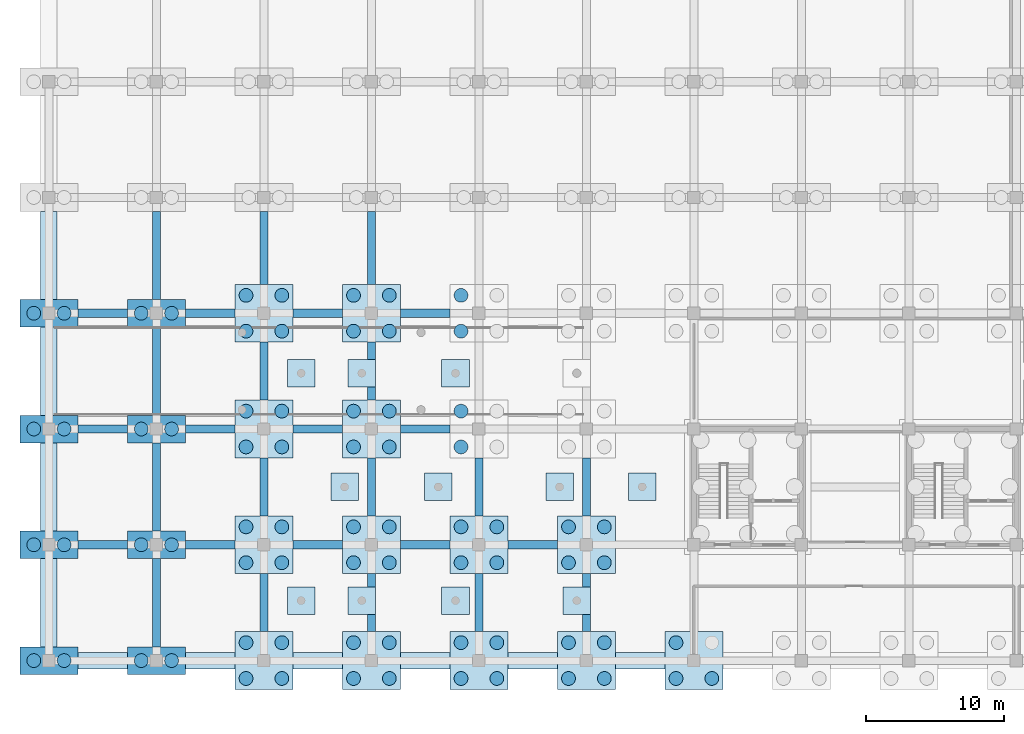
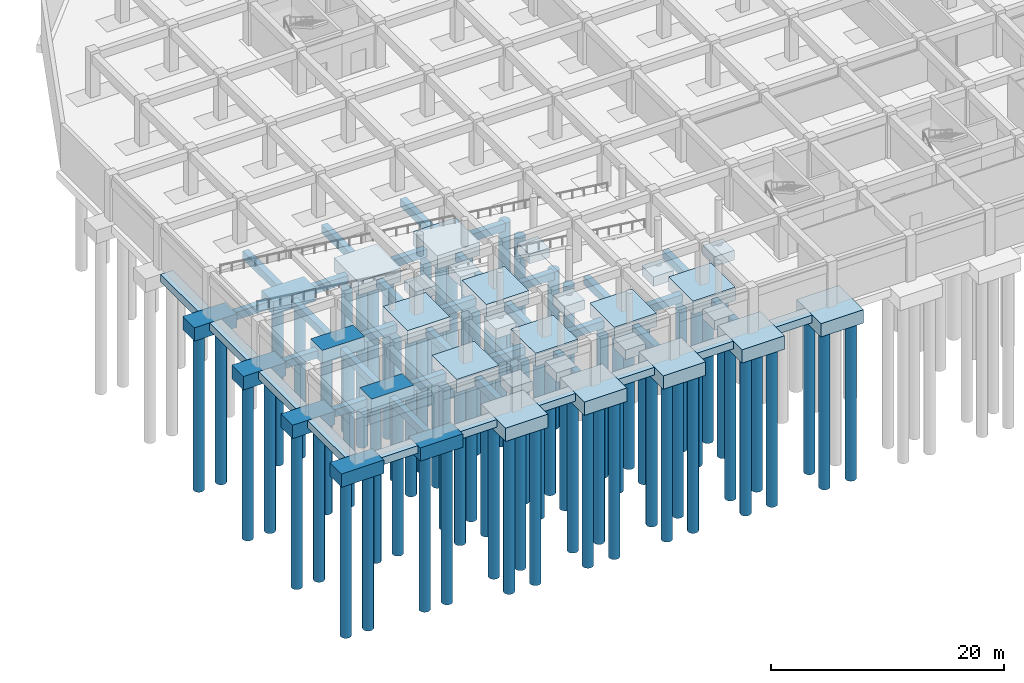
# One storey, part 1 of 31: 74 footings, 71 piles.
"""IFC4 building model written with IfcOpenShell, lengths in metres."""

from ifc_helpers import new_model, si_unit, direction, frame, origin, origin_2d, place, context, subcontext, project, spatial, rectangle, circle, extrude, material, material_profile, profile_set, type_object, element, save


model = new_model("IFC4")

# Units and contexts
model_context = context("Model", 3, precision=1e-05, world=origin(), true_north=direction((0.0, 1.0)))
body_context = subcontext(model_context, "Body", "Model", "MODEL_VIEW")
ifc_project = project(units=[si_unit("LENGTHUNIT", "METRE"), si_unit("AREAUNIT", "SQUARE_METRE"), si_unit("VOLUMEUNIT", "CUBIC_METRE"), si_unit("PLANEANGLEUNIT", "RADIAN"), si_unit("MASSUNIT", "GRAM", prefix="KILO")], contexts=[model_context])

# Site, building, storey
site_placement = place(None, origin())
site = spatial("IfcSite", under=ifc_project, at=site_placement, CompositionType="ELEMENT")
building_placement = place(site_placement, origin())
building = spatial("IfcBuilding", under=site, at=building_placement, Name="Zizhar Promenade General Hospital", CompositionType="ELEMENT")
storey_placement = place(building_placement, frame((0.0, 0.0, -4.800048828125)))
storey = spatial("IfcBuildingStorey", under=building, at=storey_placement, Name="B1", CompositionType="ELEMENT", Elevation=-4.800048828125)

# Footings
ifc_material_1 = material(Name="Concrete C30/37", Category="concrete")
footing_type_1 = type_object("IfcFootingType", Name="FTG-CAP2-4000", PredefinedType="PILE_CAP", material=ifc_material_1)
for number, where, z_axis, x_axis, name in (
    (1, (0.0, 0.0, -1.39990234375), (0.0, 0.0, 1.0), (1.0, 0.0, 0.0), "Pile Cap 1-A"),
    (2, (0.0, 8.39990234375, -1.39990234375), (0.0, 0.0, 1.0), (1.0, 0.0, 0.0), "Pile Cap 1-B"),
    (3, (0.0, 16.800048828125, -1.39990234375), (0.0, 0.0, 1.0), (1.0, 0.0, 0.0), "Pile Cap 1-C"),
    (4, (0.0, 25.199951171875, -1.39990234375), (0.0, 0.0, 1.0), (1.0, 0.0, 0.0), "Pile Cap 1-D"),
    (5, (7.800048828125, 0.0, -1.39990234375), (0.0, 0.0, 1.0), (1.0, 0.0, 0.0), "Pile Cap 2-A"),
    (6, (7.800048828125, 8.39990234375, -1.39990234375), (0.0, 0.0, 1.0), (1.0, 0.0, 0.0), "Pile Cap 2-B"),
    (7, (7.800048828125, 16.800048828125, -1.39990234375), (0.0, 0.0, 1.0), (1.0, 0.0, 0.0), "Pile Cap 2-C"),
    (8, (7.800048828125, 25.199951171875, -1.39990234375), (0.0, 0.0, 1.0), (1.0, 0.0, 0.0), "Pile Cap 2-D"),
):
    element("IfcFooting", number, at=place(storey_placement, frame(where, z_axis=z_axis, x_axis=x_axis)), inside=storey, type_object=footing_type_1, Name=name, PredefinedType="PILE_CAP", context=body_context, shape_type="SweptSolid", body=[
        extrude(rectangle(XDim=4.199951171875, YDim=2.0, at=origin_2d()), origin(), (0.0, 0.0, 1.0), 1.39990234375),
    ])
ifc_material_2 = material(Name="Concrete C30/37", Category="concrete")
footing_type_2 = type_object("IfcFootingType", Name="FTG-CAP4-4200", PredefinedType="PILE_CAP", material=ifc_material_2)
for number, where, z_axis, x_axis, name in (
    (9, (15.60009765625, 0.0, -1.39990234375), (0.0, 0.0, 1.0), (1.0, 0.0, 0.0), "Pile Cap 3-A"),
    (10, (15.60009765625, 8.39990234375, -1.39990234375), (0.0, 0.0, 1.0), (1.0, 0.0, 0.0), "Pile Cap 3-B"),
    (11, (15.60009765625, 16.800048828125, -1.39990234375), (0.0, 0.0, 1.0), (1.0, 0.0, 0.0), "Pile Cap 3-C"),
    (12, (15.60009765625, 25.199951171875, -1.39990234375), (0.0, 0.0, 1.0), (1.0, 0.0, 0.0), "Pile Cap 3-D"),
    (13, (23.39990234375, 0.0, -1.39990234375), (0.0, 0.0, 1.0), (1.0, 0.0, 0.0), "Pile Cap 4-A"),
    (14, (23.39990234375, 8.39990234375, -1.39990234375), (0.0, 0.0, 1.0), (1.0, 0.0, 0.0), "Pile Cap 4-B"),
    (15, (23.39990234375, 16.800048828125, -1.39990234375), (0.0, 0.0, 1.0), (1.0, 0.0, 0.0), "Pile Cap 4-C"),
    (16, (23.39990234375, 25.199951171875, -1.39990234375), (0.0, 0.0, 1.0), (1.0, 0.0, 0.0), "Pile Cap 4-D"),
    (17, (31.199951171875, 0.0, -1.39990234375), (0.0, 0.0, 1.0), (1.0, 0.0, 0.0), "Pile Cap 5-A"),
    (18, (31.199951171875, 8.39990234375, -1.39990234375), (0.0, 0.0, 1.0), (1.0, 0.0, 0.0), "Pile Cap 5-B"),
    (19, (39.0, 0.0, -1.39990234375), (0.0, 0.0, 1.0), (1.0, 0.0, 0.0), "Pile Cap 6-A"),
    (20, (39.0, 8.39990234375, -1.39990234375), (0.0, 0.0, 1.0), (1.0, 0.0, 0.0), "Pile Cap 6-B"),
    (21, (46.800048828125, 0.0, -1.39990234375), (0.0, 0.0, 1.0), (1.0, 0.0, 0.0), "Pile Cap 7-A"),
):
    element("IfcFooting", number, at=place(storey_placement, frame(where, z_axis=z_axis, x_axis=x_axis)), inside=storey, type_object=footing_type_2, Name=name, PredefinedType="PILE_CAP", context=body_context, shape_type="SweptSolid", body=[
        extrude(rectangle(XDim=4.199951171875, YDim=4.199951171875, at=origin_2d()), origin(), (0.0, 0.0, 1.0), 1.39990234375),
    ])
ifc_material_3 = material(Name="Concrete C30/37", Category="concrete")
footing_type_3 = type_object("IfcFootingType", Name="FTG-PAD-2000", PredefinedType="PAD_FOOTING", material=ifc_material_3)
for number, where, z_axis, x_axis, name in (
    (22, (18.300048828125, 4.35009765625, -1.39990234375), (0.0, 0.0, 1.0), (1.0, 0.0, 0.0), "Terrace Support Pad Footing L06-W0"),
    (23, (18.300048828125, 20.85009765625, -1.39990234375), (0.0, 0.0, 1.0), (1.0, 0.0, 0.0), "Terrace Support Pad Footing L06-W1"),
    (24, (21.449951171875, 12.60009765625, -1.39990234375), (0.0, 0.0, 1.0), (1.0, 0.0, 0.0), "Terrace Support Pad Footing L06-W2"),
    (25, (22.699951171875, 4.35009765625, -1.39990234375), (0.0, 0.0, 1.0), (1.0, 0.0, 0.0), "Terrace Support Pad Footing L07-W0"),
    (26, (22.699951171875, 20.85009765625, -1.39990234375), (0.0, 0.0, 1.0), (1.0, 0.0, 0.0), "Terrace Support Pad Footing L07-W1"),
    (27, (28.25, 12.60009765625, -1.39990234375), (0.0, 0.0, 1.0), (1.0, 0.0, 0.0), "Terrace Support Pad Footing L07-W2"),
    (28, (29.5, 4.35009765625, -1.39990234375), (0.0, 0.0, 1.0), (1.0, 0.0, 0.0), "Terrace Support Pad Footing L08-W0"),
    (29, (29.5, 20.85009765625, -1.39990234375), (0.0, 0.0, 1.0), (1.0, 0.0, 0.0), "Terrace Support Pad Footing L08-W1"),
    (30, (37.050048828125, 12.60009765625, -1.39990234375), (0.0, 0.0, 1.0), (1.0, 0.0, 0.0), "Terrace Support Pad Footing L08-W2"),
    (31, (38.300048828125, 4.35009765625, -1.39990234375), (0.0, 0.0, 1.0), (1.0, 0.0, 0.0), "Terrace Support Pad Footing L09-W0"),
    (32, (43.050048828125, 12.60009765625, -1.39990234375), (0.0, 0.0, 1.0), (1.0, 0.0, 0.0), "Terrace Support Pad Footing L09-W2"),
):
    element("IfcFooting", number, at=place(storey_placement, frame(where, z_axis=z_axis, x_axis=x_axis)), inside=storey, type_object=footing_type_3, Name=name, PredefinedType="PAD_FOOTING", context=body_context, shape_type="SweptSolid", body=[
        extrude(rectangle(XDim=2.0, YDim=2.0, at=origin_2d()), origin(), (0.0, 0.0, 1.0), 1.0),
    ])
ifc_material_4 = material(Name="Concrete C30/37", Category="concrete")
ifc_material_profile_1 = material_profile(ifc_material_4, rectangle(XDim=1.199951171875, YDim=0.800048828125, at=origin_2d()))
ifc_profile_set_1 = profile_set([ifc_material_profile_1], Name="Concrete C30/37")
footing_type_4 = type_object("IfcFootingType", Name="FTG-STRIP-1200", PredefinedType="STRIP_FOOTING", material=ifc_profile_set_1)
footing_1_placement = place(storey_placement, frame((2.10009765625, 0.0, -0.39990234375), z_axis=(1.0, 0.0, 0.0), x_axis=(0.0, 1.0, 0.0)))
element("IfcFooting", 33, at=footing_1_placement, inside=storey, type_object=footing_type_4, Name="Basement Wall Strip Footing B01", PredefinedType="STRIP_FOOTING", context=body_context, shape_type="SweptSolid", body=[
    extrude(rectangle(XDim=1.199951171875, YDim=0.800048828125, at=origin_2d()), origin(), (0.0, 0.0, 1.0), 3.599853515625),
])
for number, where, z_axis, x_axis, name in (
    (34, (9.89990234375, 0.0, -0.39990234375), (1.0, 0.0, 0.0), (0.0, 1.0, 0.0), "Basement Wall Strip Footing B01 (2)"),
    (35, (17.699951171875, 0.0, -0.39990234375), (1.0, 0.0, 0.0), (0.0, 1.0, 0.0), "Basement Wall Strip Footing B01 (3)"),
    (36, (25.5, 0.0, -0.39990234375), (1.0, 0.0, 0.0), (0.0, 1.0, 0.0), "Basement Wall Strip Footing B01 (4)"),
):
    element("IfcFooting", number, at=place(storey_placement, frame(where, z_axis=z_axis, x_axis=x_axis)), inside=storey, type_object=footing_type_4, Name=name, PredefinedType="STRIP_FOOTING", context=body_context, shape_type="SweptSolid", body=[
        extrude(rectangle(XDim=1.199951171875, YDim=0.800048828125, at=origin_2d()), origin(), (0.0, 0.0, 1.0), 3.60009765625),
    ])
for number, where, z_axis, x_axis, name in (
    (37, (33.300048828125, 0.0, -0.39990234375), (1.0, 0.0, 0.0), (0.0, 1.0, 0.0), "Basement Wall Strip Footing B01 (5)"),
    (38, (41.10009765625, 0.0, -0.39990234375), (1.0, 0.0, 0.0), (0.0, 1.0, 0.0), "Basement Wall Strip Footing B01 (6)"),
):
    element("IfcFooting", number, at=place(storey_placement, frame(where, z_axis=z_axis, x_axis=x_axis)), inside=storey, type_object=footing_type_4, Name=name, PredefinedType="STRIP_FOOTING", context=body_context, shape_type="SweptSolid", body=[
        extrude(rectangle(XDim=1.199951171875, YDim=0.800048828125, at=origin_2d()), origin(), (0.0, 0.0, 1.0), 3.599853515625),
    ])
footing_2_placement = place(storey_placement, frame((0.0, 32.60009765625, -0.39990234375), z_axis=(0.0, -1.0, 0.0), x_axis=(1.0, 0.0, 0.0)))
element("IfcFooting", 39, at=footing_2_placement, inside=storey, type_object=footing_type_4, Name="Basement Wall Strip Footing B13 (3)", PredefinedType="STRIP_FOOTING", context=body_context, shape_type="SweptSolid", body=[
    extrude(rectangle(XDim=1.199951171875, YDim=0.800048828125, at=origin_2d()), origin(), (0.0, 0.0, 1.0), 6.400146484375),
])
footing_3_placement = place(storey_placement, frame((0.0, 24.199951171875, -0.39990234375), z_axis=(0.0, -1.0, 0.0), x_axis=(1.0, 0.0, 0.0)))
element("IfcFooting", 40, at=footing_3_placement, inside=storey, type_object=footing_type_4, Name="Basement Wall Strip Footing B13 (4)", PredefinedType="STRIP_FOOTING", context=body_context, shape_type="SweptSolid", body=[
    extrude(rectangle(XDim=1.199951171875, YDim=0.800048828125, at=origin_2d()), origin(), (0.0, 0.0, 1.0), 6.39990234375),
])
footing_4_placement = place(storey_placement, frame((0.0, 15.800048828125, -0.39990234375), z_axis=(0.0, -1.0, 0.0), x_axis=(1.0, 0.0, 0.0)))
element("IfcFooting", 41, at=footing_4_placement, inside=storey, type_object=footing_type_4, Name="Basement Wall Strip Footing B13 (5)", PredefinedType="STRIP_FOOTING", context=body_context, shape_type="SweptSolid", body=[
    extrude(rectangle(XDim=1.199951171875, YDim=0.800048828125, at=origin_2d()), origin(), (0.0, 0.0, 1.0), 6.400146484375),
])
footing_5_placement = place(storey_placement, frame((0.0, 7.39990234375, -0.39990234375), z_axis=(0.0, -1.0, 0.0), x_axis=(1.0, 0.0, 0.0)))
element("IfcFooting", 42, at=footing_5_placement, inside=storey, type_object=footing_type_4, Name="Basement Wall Strip Footing B13 (6)", PredefinedType="STRIP_FOOTING", context=body_context, shape_type="SweptSolid", body=[
    extrude(rectangle(XDim=1.199951171875, YDim=0.800048828125, at=origin_2d()), origin(), (0.0, 0.0, 1.0), 6.39990234375),
])
ifc_material_5 = material(Name="Concrete C30/37", Category="concrete")
ifc_material_profile_2 = material_profile(ifc_material_5, rectangle(XDim=0.60009765625, YDim=0.800048828125, at=origin_2d()))
ifc_profile_set_2 = profile_set([ifc_material_profile_2], Name="Concrete C30/37")
footing_type_5 = type_object("IfcFootingType", Name="FTG-TIE-600x800", PredefinedType="FOOTING_BEAM", material=ifc_profile_set_2)
for number, where, z_axis, x_axis, name in (
    (43, (2.10009765625, 8.39990234375, -0.800048828125), (1.0, 0.0, 0.0), (0.0, 1.0, 0.0), "Seismic Ground Tie Beam X-0-1"),
    (44, (2.10009765625, 16.800048828125, -0.800048828125), (1.0, 0.0, 0.0), (0.0, 1.0, 0.0), "Seismic Ground Tie Beam X-0-2"),
    (45, (2.10009765625, 25.199951171875, -0.800048828125), (1.0, 0.0, 0.0), (0.0, 1.0, 0.0), "Seismic Ground Tie Beam X-0-3"),
):
    element("IfcFooting", number, at=place(storey_placement, frame(where, z_axis=z_axis, x_axis=x_axis)), inside=storey, type_object=footing_type_5, Name=name, PredefinedType="FOOTING_BEAM", context=body_context, shape_type="SweptSolid", body=[
        extrude(rectangle(XDim=0.60009765625, YDim=0.800048828125, at=origin_2d()), origin(), (0.0, 0.0, 1.0), 3.599853515625),
    ])
footing_6_placement = place(storey_placement, frame((7.800048828125, 1.0, -0.800048828125), z_axis=(0.0, 1.0, 0.0), x_axis=(-1.0, 0.0, 0.0)))
element("IfcFooting", 46, at=footing_6_placement, inside=storey, type_object=footing_type_5, Name="Seismic Ground Tie Beam Y-1-0", PredefinedType="FOOTING_BEAM", context=body_context, shape_type="SweptSolid", body=[
    extrude(rectangle(XDim=0.60009765625, YDim=0.800048828125, at=origin_2d()), origin(), (0.0, 0.0, 1.0), 6.39990234375),
])
footing_7_placement = place(storey_placement, frame((9.89990234375, 8.39990234375, -0.800048828125), z_axis=(1.0, 0.0, 0.0), x_axis=(0.0, 1.0, 0.0)))
element("IfcFooting", 47, at=footing_7_placement, inside=storey, type_object=footing_type_5, Name="Seismic Ground Tie Beam X-1-1", PredefinedType="FOOTING_BEAM", context=body_context, shape_type="SweptSolid", body=[
    extrude(rectangle(XDim=0.60009765625, YDim=0.800048828125, at=origin_2d()), origin(), (0.0, 0.0, 1.0), 3.60009765625),
])
footing_8_placement = place(storey_placement, frame((7.800048828125, 9.39990234375, -0.800048828125), z_axis=(0.0, 1.0, 0.0), x_axis=(-1.0, 0.0, 0.0)))
element("IfcFooting", 48, at=footing_8_placement, inside=storey, type_object=footing_type_5, Name="Seismic Ground Tie Beam Y-1-1", PredefinedType="FOOTING_BEAM", context=body_context, shape_type="SweptSolid", body=[
    extrude(rectangle(XDim=0.60009765625, YDim=0.800048828125, at=origin_2d()), origin(), (0.0, 0.0, 1.0), 6.400146484375),
])
footing_9_placement = place(storey_placement, frame((9.89990234375, 16.800048828125, -0.800048828125), z_axis=(1.0, 0.0, 0.0), x_axis=(0.0, 1.0, 0.0)))
element("IfcFooting", 49, at=footing_9_placement, inside=storey, type_object=footing_type_5, Name="Seismic Ground Tie Beam X-1-2", PredefinedType="FOOTING_BEAM", context=body_context, shape_type="SweptSolid", body=[
    extrude(rectangle(XDim=0.60009765625, YDim=0.800048828125, at=origin_2d()), origin(), (0.0, 0.0, 1.0), 3.60009765625),
])
footing_10_placement = place(storey_placement, frame((7.800048828125, 17.800048828125, -0.800048828125), z_axis=(0.0, 1.0, 0.0), x_axis=(-1.0, 0.0, 0.0)))
element("IfcFooting", 50, at=footing_10_placement, inside=storey, type_object=footing_type_5, Name="Seismic Ground Tie Beam Y-1-2", PredefinedType="FOOTING_BEAM", context=body_context, shape_type="SweptSolid", body=[
    extrude(rectangle(XDim=0.60009765625, YDim=0.800048828125, at=origin_2d()), origin(), (0.0, 0.0, 1.0), 6.39990234375),
])
footing_11_placement = place(storey_placement, frame((9.89990234375, 25.199951171875, -0.800048828125), z_axis=(1.0, 0.0, 0.0), x_axis=(0.0, 1.0, 0.0)))
element("IfcFooting", 51, at=footing_11_placement, inside=storey, type_object=footing_type_5, Name="Seismic Ground Tie Beam X-1-3", PredefinedType="FOOTING_BEAM", context=body_context, shape_type="SweptSolid", body=[
    extrude(rectangle(XDim=0.60009765625, YDim=0.800048828125, at=origin_2d()), origin(), (0.0, 0.0, 1.0), 3.60009765625),
])
footing_12_placement = place(storey_placement, frame((7.800048828125, 26.199951171875, -0.800048828125), z_axis=(0.0, 1.0, 0.0), x_axis=(-1.0, 0.0, 0.0)))
element("IfcFooting", 52, at=footing_12_placement, inside=storey, type_object=footing_type_5, Name="Seismic Ground Tie Beam Y-1-3", PredefinedType="FOOTING_BEAM", context=body_context, shape_type="SweptSolid", body=[
    extrude(rectangle(XDim=0.60009765625, YDim=0.800048828125, at=origin_2d()), origin(), (0.0, 0.0, 1.0), 6.400146484375),
])
footing_13_placement = place(storey_placement, frame((15.60009765625, 2.10009765625, -0.800048828125), z_axis=(0.0, 1.0, 0.0), x_axis=(-1.0, 0.0, 0.0)))
element("IfcFooting", 53, at=footing_13_placement, inside=storey, type_object=footing_type_5, Name="Seismic Ground Tie Beam Y-2-0", PredefinedType="FOOTING_BEAM", context=body_context, shape_type="SweptSolid", body=[
    extrude(rectangle(XDim=0.60009765625, YDim=0.800048828125, at=origin_2d()), origin(), (0.0, 0.0, 1.0), 4.199951171875),
])
footing_14_placement = place(storey_placement, frame((17.699951171875, 8.39990234375, -0.800048828125), z_axis=(1.0, 0.0, 0.0), x_axis=(0.0, 1.0, 0.0)))
element("IfcFooting", 54, at=footing_14_placement, inside=storey, type_object=footing_type_5, Name="Seismic Ground Tie Beam X-2-1", PredefinedType="FOOTING_BEAM", context=body_context, shape_type="SweptSolid", body=[
    extrude(rectangle(XDim=0.60009765625, YDim=0.800048828125, at=origin_2d()), origin(), (0.0, 0.0, 1.0), 3.60009765625),
])
footing_15_placement = place(storey_placement, frame((15.60009765625, 10.5, -0.800048828125), z_axis=(0.0, 1.0, 0.0), x_axis=(-1.0, 0.0, 0.0)))
element("IfcFooting", 55, at=footing_15_placement, inside=storey, type_object=footing_type_5, Name="Seismic Ground Tie Beam Y-2-1", PredefinedType="FOOTING_BEAM", context=body_context, shape_type="SweptSolid", body=[
    extrude(rectangle(XDim=0.60009765625, YDim=0.800048828125, at=origin_2d()), origin(), (0.0, 0.0, 1.0), 4.199951171875),
])
footing_16_placement = place(storey_placement, frame((17.699951171875, 16.800048828125, -0.800048828125), z_axis=(1.0, 0.0, 0.0), x_axis=(0.0, 1.0, 0.0)))
element("IfcFooting", 56, at=footing_16_placement, inside=storey, type_object=footing_type_5, Name="Seismic Ground Tie Beam X-2-2", PredefinedType="FOOTING_BEAM", context=body_context, shape_type="SweptSolid", body=[
    extrude(rectangle(XDim=0.60009765625, YDim=0.800048828125, at=origin_2d()), origin(), (0.0, 0.0, 1.0), 3.60009765625),
])
footing_17_placement = place(storey_placement, frame((15.60009765625, 18.89990234375, -0.800048828125), z_axis=(0.0, 1.0, 0.0), x_axis=(-1.0, 0.0, 0.0)))
element("IfcFooting", 57, at=footing_17_placement, inside=storey, type_object=footing_type_5, Name="Seismic Ground Tie Beam Y-2-2", PredefinedType="FOOTING_BEAM", context=body_context, shape_type="SweptSolid", body=[
    extrude(rectangle(XDim=0.60009765625, YDim=0.800048828125, at=origin_2d()), origin(), (0.0, 0.0, 1.0), 4.2001953125),
])
footing_18_placement = place(storey_placement, frame((17.699951171875, 25.199951171875, -0.800048828125), z_axis=(1.0, 0.0, 0.0), x_axis=(0.0, 1.0, 0.0)))
element("IfcFooting", 58, at=footing_18_placement, inside=storey, type_object=footing_type_5, Name="Seismic Ground Tie Beam X-2-3", PredefinedType="FOOTING_BEAM", context=body_context, shape_type="SweptSolid", body=[
    extrude(rectangle(XDim=0.60009765625, YDim=0.800048828125, at=origin_2d()), origin(), (0.0, 0.0, 1.0), 3.60009765625),
])
footing_19_placement = place(storey_placement, frame((15.60009765625, 27.300048828125, -0.800048828125), z_axis=(0.0, 1.0, 0.0), x_axis=(-1.0, 0.0, 0.0)))
element("IfcFooting", 59, at=footing_19_placement, inside=storey, type_object=footing_type_5, Name="Seismic Ground Tie Beam Y-2-3", PredefinedType="FOOTING_BEAM", context=body_context, shape_type="SweptSolid", body=[
    extrude(rectangle(XDim=0.60009765625, YDim=0.800048828125, at=origin_2d()), origin(), (0.0, 0.0, 1.0), 5.300048828125),
])
footing_20_placement = place(storey_placement, frame((23.39990234375, 2.10009765625, -0.800048828125), z_axis=(0.0, 1.0, 0.0), x_axis=(-1.0, 0.0, 0.0)))
element("IfcFooting", 60, at=footing_20_placement, inside=storey, type_object=footing_type_5, Name="Seismic Ground Tie Beam Y-3-0", PredefinedType="FOOTING_BEAM", context=body_context, shape_type="SweptSolid", body=[
    extrude(rectangle(XDim=0.60009765625, YDim=0.800048828125, at=origin_2d()), origin(), (0.0, 0.0, 1.0), 1.25),
])
footing_21_placement = place(storey_placement, frame((23.39990234375, 5.35009765625, -0.800048828125), z_axis=(0.0, 1.0, 0.0), x_axis=(-1.0, 0.0, 0.0)))
element("IfcFooting", 61, at=footing_21_placement, inside=storey, type_object=footing_type_5, Name="Seismic Ground Tie Beam Y-3-0 (2)", PredefinedType="FOOTING_BEAM", context=body_context, shape_type="SweptSolid", body=[
    extrude(rectangle(XDim=0.60009765625, YDim=0.800048828125, at=origin_2d()), origin(), (0.0, 0.0, 1.0), 0.949951171875),
])
footing_22_placement = place(storey_placement, frame((25.5, 8.39990234375, -0.800048828125), z_axis=(1.0, 0.0, 0.0), x_axis=(0.0, 1.0, 0.0)))
element("IfcFooting", 62, at=footing_22_placement, inside=storey, type_object=footing_type_5, Name="Seismic Ground Tie Beam X-3-1", PredefinedType="FOOTING_BEAM", context=body_context, shape_type="SweptSolid", body=[
    extrude(rectangle(XDim=0.60009765625, YDim=0.800048828125, at=origin_2d()), origin(), (0.0, 0.0, 1.0), 3.60009765625),
])
footing_23_placement = place(storey_placement, frame((23.39990234375, 10.5, -0.800048828125), z_axis=(0.0, 1.0, 0.0), x_axis=(-1.0, 0.0, 0.0)))
element("IfcFooting", 63, at=footing_23_placement, inside=storey, type_object=footing_type_5, Name="Seismic Ground Tie Beam Y-3-1", PredefinedType="FOOTING_BEAM", context=body_context, shape_type="SweptSolid", body=[
    extrude(rectangle(XDim=0.60009765625, YDim=0.800048828125, at=origin_2d()), origin(), (0.0, 0.0, 1.0), 4.199951171875),
])
footing_24_placement = place(storey_placement, frame((25.5, 16.800048828125, -0.800048828125), z_axis=(1.0, 0.0, 0.0), x_axis=(0.0, 1.0, 0.0)))
element("IfcFooting", 64, at=footing_24_placement, inside=storey, type_object=footing_type_5, Name="Seismic Ground Tie Beam X-3-2", PredefinedType="FOOTING_BEAM", context=body_context, shape_type="SweptSolid", body=[
    extrude(rectangle(XDim=0.60009765625, YDim=0.800048828125, at=origin_2d()), origin(), (0.0, 0.0, 1.0), 3.60009765625),
])
footing_25_placement = place(storey_placement, frame((23.39990234375, 18.89990234375, -0.800048828125), z_axis=(0.0, 1.0, 0.0), x_axis=(-1.0, 0.0, 0.0)))
element("IfcFooting", 65, at=footing_25_placement, inside=storey, type_object=footing_type_5, Name="Seismic Ground Tie Beam Y-3-2", PredefinedType="FOOTING_BEAM", context=body_context, shape_type="SweptSolid", body=[
    extrude(rectangle(XDim=0.60009765625, YDim=0.800048828125, at=origin_2d()), origin(), (0.0, 0.0, 1.0), 0.9501953125),
])
footing_26_placement = place(storey_placement, frame((23.39990234375, 21.85009765625, -0.800048828125), z_axis=(0.0, 1.0, 0.0), x_axis=(-1.0, 0.0, 0.0)))
element("IfcFooting", 66, at=footing_26_placement, inside=storey, type_object=footing_type_5, Name="Seismic Ground Tie Beam Y-3-2 (2)", PredefinedType="FOOTING_BEAM", context=body_context, shape_type="SweptSolid", body=[
    extrude(rectangle(XDim=0.60009765625, YDim=0.800048828125, at=origin_2d()), origin(), (0.0, 0.0, 1.0), 1.25),
])
footing_27_placement = place(storey_placement, frame((25.5, 25.199951171875, -0.800048828125), z_axis=(1.0, 0.0, 0.0), x_axis=(0.0, 1.0, 0.0)))
element("IfcFooting", 67, at=footing_27_placement, inside=storey, type_object=footing_type_5, Name="Seismic Ground Tie Beam X-3-3", PredefinedType="FOOTING_BEAM", context=body_context, shape_type="SweptSolid", body=[
    extrude(rectangle(XDim=0.60009765625, YDim=0.800048828125, at=origin_2d()), origin(), (0.0, 0.0, 1.0), 3.60009765625),
])
footing_28_placement = place(storey_placement, frame((23.39990234375, 27.300048828125, -0.800048828125), z_axis=(0.0, 1.0, 0.0), x_axis=(-1.0, 0.0, 0.0)))
element("IfcFooting", 68, at=footing_28_placement, inside=storey, type_object=footing_type_5, Name="Seismic Ground Tie Beam Y-3-3", PredefinedType="FOOTING_BEAM", context=body_context, shape_type="SweptSolid", body=[
    extrude(rectangle(XDim=0.60009765625, YDim=0.800048828125, at=origin_2d()), origin(), (0.0, 0.0, 1.0), 5.300048828125),
])
footing_29_placement = place(storey_placement, frame((31.199951171875, 2.10009765625, -0.800048828125), z_axis=(0.0, 1.0, 0.0), x_axis=(-1.0, 0.0, 0.0)))
element("IfcFooting", 69, at=footing_29_placement, inside=storey, type_object=footing_type_5, Name="Seismic Ground Tie Beam Y-4-0", PredefinedType="FOOTING_BEAM", context=body_context, shape_type="SweptSolid", body=[
    extrude(rectangle(XDim=0.60009765625, YDim=0.800048828125, at=origin_2d()), origin(), (0.0, 0.0, 1.0), 4.199951171875),
])
footing_30_placement = place(storey_placement, frame((33.300048828125, 8.39990234375, -0.800048828125), z_axis=(1.0, 0.0, 0.0), x_axis=(0.0, 1.0, 0.0)))
element("IfcFooting", 70, at=footing_30_placement, inside=storey, type_object=footing_type_5, Name="Seismic Ground Tie Beam X-4-1", PredefinedType="FOOTING_BEAM", context=body_context, shape_type="SweptSolid", body=[
    extrude(rectangle(XDim=0.60009765625, YDim=0.800048828125, at=origin_2d()), origin(), (0.0, 0.0, 1.0), 3.599853515625),
])
footing_31_placement = place(storey_placement, frame((31.199951171875, 10.5, -0.800048828125), z_axis=(0.0, 1.0, 0.0), x_axis=(-1.0, 0.0, 0.0)))
element("IfcFooting", 71, at=footing_31_placement, inside=storey, type_object=footing_type_5, Name="Seismic Ground Tie Beam Y-4-1", PredefinedType="FOOTING_BEAM", context=body_context, shape_type="SweptSolid", body=[
    extrude(rectangle(XDim=0.60009765625, YDim=0.800048828125, at=origin_2d()), origin(), (0.0, 0.0, 1.0), 4.199951171875),
])
footing_32_placement = place(storey_placement, frame((39.0, 2.10009765625, -0.800048828125), z_axis=(0.0, 1.0, 0.0), x_axis=(-1.0, 0.0, 0.0)))
element("IfcFooting", 72, at=footing_32_placement, inside=storey, type_object=footing_type_5, Name="Seismic Ground Tie Beam Y-5-0", PredefinedType="FOOTING_BEAM", context=body_context, shape_type="SweptSolid", body=[
    extrude(rectangle(XDim=0.60009765625, YDim=0.800048828125, at=origin_2d()), origin(), (0.0, 0.0, 1.0), 1.25),
])
footing_33_placement = place(storey_placement, frame((39.0, 5.35009765625, -0.800048828125), z_axis=(0.0, 1.0, 0.0), x_axis=(-1.0, 0.0, 0.0)))
element("IfcFooting", 73, at=footing_33_placement, inside=storey, type_object=footing_type_5, Name="Seismic Ground Tie Beam Y-5-0 (2)", PredefinedType="FOOTING_BEAM", context=body_context, shape_type="SweptSolid", body=[
    extrude(rectangle(XDim=0.60009765625, YDim=0.800048828125, at=origin_2d()), origin(), (0.0, 0.0, 1.0), 0.949951171875),
])
footing_34_placement = place(storey_placement, frame((39.0, 10.5, -0.800048828125), z_axis=(0.0, 1.0, 0.0), x_axis=(-1.0, 0.0, 0.0)))
element("IfcFooting", 74, at=footing_34_placement, inside=storey, type_object=footing_type_5, Name="Seismic Ground Tie Beam Y-5-1", PredefinedType="FOOTING_BEAM", context=body_context, shape_type="SweptSolid", body=[
    extrude(rectangle(XDim=0.60009765625, YDim=0.800048828125, at=origin_2d()), origin(), (0.0, 0.0, 1.0), 4.199951171875),
])

# Piles
ifc_material_6 = material(Name="Concrete C30/37", Category="concrete")
ifc_material_profile_3 = material_profile(ifc_material_6, circle(Radius=0.5, at=origin_2d()))
ifc_profile_set_3 = profile_set([ifc_material_profile_3], Name="Concrete C30/37")
pile_type = type_object("IfcPileType", Name="PIL-BORED-1000", PredefinedType="BORED", material=ifc_profile_set_3)
for number, where, z_axis, x_axis, name in (
    (75, (-1.10009765625, 0.0, -1.300048828125), (0.0, 0.0, -1.0), (1.0, 0.0, 0.0), "Bored Pile 1-A-1"),
    (76, (1.10009765625, 0.0, -1.300048828125), (0.0, 0.0, -1.0), (1.0, 0.0, 0.0), "Bored Pile 1-A-2"),
    (77, (-1.10009765625, 8.39990234375, -1.300048828125), (0.0, 0.0, -1.0), (1.0, 0.0, 0.0), "Bored Pile 1-B-1"),
    (78, (1.10009765625, 8.39990234375, -1.300048828125), (0.0, 0.0, -1.0), (1.0, 0.0, 0.0), "Bored Pile 1-B-2"),
    (79, (-1.10009765625, 16.800048828125, -1.300048828125), (0.0, 0.0, -1.0), (1.0, 0.0, 0.0), "Bored Pile 1-C-1"),
    (80, (1.10009765625, 16.800048828125, -1.300048828125), (0.0, 0.0, -1.0), (1.0, 0.0, 0.0), "Bored Pile 1-C-2"),
    (81, (-1.10009765625, 25.199951171875, -1.300048828125), (0.0, 0.0, -1.0), (1.0, 0.0, 0.0), "Bored Pile 1-D-1"),
    (82, (1.10009765625, 25.199951171875, -1.300048828125), (0.0, 0.0, -1.0), (1.0, 0.0, 0.0), "Bored Pile 1-D-2"),
    (83, (6.699951171875, 0.0, -1.300048828125), (0.0, 0.0, -1.0), (1.0, 0.0, 0.0), "Bored Pile 2-A-1"),
    (84, (8.89990234375, 0.0, -1.300048828125), (0.0, 0.0, -1.0), (1.0, 0.0, 0.0), "Bored Pile 2-A-2"),
    (85, (6.699951171875, 8.39990234375, -1.300048828125), (0.0, 0.0, -1.0), (1.0, 0.0, 0.0), "Bored Pile 2-B-1"),
    (86, (8.89990234375, 8.39990234375, -1.300048828125), (0.0, 0.0, -1.0), (1.0, 0.0, 0.0), "Bored Pile 2-B-2"),
    (87, (6.699951171875, 16.800048828125, -1.300048828125), (0.0, 0.0, -1.0), (1.0, 0.0, 0.0), "Bored Pile 2-C-1"),
    (88, (8.89990234375, 16.800048828125, -1.300048828125), (0.0, 0.0, -1.0), (1.0, 0.0, 0.0), "Bored Pile 2-C-2"),
    (89, (6.699951171875, 25.199951171875, -1.300048828125), (0.0, 0.0, -1.0), (1.0, 0.0, 0.0), "Bored Pile 2-D-1"),
    (90, (8.89990234375, 25.199951171875, -1.300048828125), (0.0, 0.0, -1.0), (1.0, 0.0, 0.0), "Bored Pile 2-D-2"),
    (91, (14.300048828125, -1.300048828125, -1.300048828125), (0.0, 0.0, -1.0), (1.0, 0.0, 0.0), "Bored Pile 3-A-1"),
    (92, (14.300048828125, 1.300048828125, -1.300048828125), (0.0, 0.0, -1.0), (1.0, 0.0, 0.0), "Bored Pile 3-A-2"),
    (93, (16.89990234375, -1.300048828125, -1.300048828125), (0.0, 0.0, -1.0), (1.0, 0.0, 0.0), "Bored Pile 3-A-3"),
    (94, (16.89990234375, 1.300048828125, -1.300048828125), (0.0, 0.0, -1.0), (1.0, 0.0, 0.0), "Bored Pile 3-A-4"),
    (95, (14.300048828125, 7.10009765625, -1.300048828125), (0.0, 0.0, -1.0), (1.0, 0.0, 0.0), "Bored Pile 3-B-1"),
    (96, (14.300048828125, 9.699951171875, -1.300048828125), (0.0, 0.0, -1.0), (1.0, 0.0, 0.0), "Bored Pile 3-B-2"),
    (97, (16.89990234375, 7.10009765625, -1.300048828125), (0.0, 0.0, -1.0), (1.0, 0.0, 0.0), "Bored Pile 3-B-3"),
    (98, (16.89990234375, 9.699951171875, -1.300048828125), (0.0, 0.0, -1.0), (1.0, 0.0, 0.0), "Bored Pile 3-B-4"),
    (99, (14.300048828125, 15.5, -1.300048828125), (0.0, 0.0, -1.0), (1.0, 0.0, 0.0), "Bored Pile 3-C-1"),
    (100, (14.300048828125, 18.10009765625, -1.300048828125), (0.0, 0.0, -1.0), (1.0, 0.0, 0.0), "Bored Pile 3-C-2"),
    (101, (16.89990234375, 15.5, -1.300048828125), (0.0, 0.0, -1.0), (1.0, 0.0, 0.0), "Bored Pile 3-C-3"),
    (102, (16.89990234375, 18.10009765625, -1.300048828125), (0.0, 0.0, -1.0), (1.0, 0.0, 0.0), "Bored Pile 3-C-4"),
    (103, (14.300048828125, 23.89990234375, -1.300048828125), (0.0, 0.0, -1.0), (1.0, 0.0, 0.0), "Bored Pile 3-D-1"),
    (104, (14.300048828125, 26.5, -1.300048828125), (0.0, 0.0, -1.0), (1.0, 0.0, 0.0), "Bored Pile 3-D-2"),
    (105, (16.89990234375, 23.89990234375, -1.300048828125), (0.0, 0.0, -1.0), (1.0, 0.0, 0.0), "Bored Pile 3-D-3"),
    (106, (16.89990234375, 26.5, -1.300048828125), (0.0, 0.0, -1.0), (1.0, 0.0, 0.0), "Bored Pile 3-D-4"),
    (107, (22.10009765625, -1.300048828125, -1.300048828125), (0.0, 0.0, -1.0), (1.0, 0.0, 0.0), "Bored Pile 4-A-1"),
    (108, (22.10009765625, 1.300048828125, -1.300048828125), (0.0, 0.0, -1.0), (1.0, 0.0, 0.0), "Bored Pile 4-A-2"),
    (109, (24.699951171875, -1.300048828125, -1.300048828125), (0.0, 0.0, -1.0), (1.0, 0.0, 0.0), "Bored Pile 4-A-3"),
    (110, (24.699951171875, 1.300048828125, -1.300048828125), (0.0, 0.0, -1.0), (1.0, 0.0, 0.0), "Bored Pile 4-A-4"),
    (111, (22.10009765625, 7.10009765625, -1.300048828125), (0.0, 0.0, -1.0), (1.0, 0.0, 0.0), "Bored Pile 4-B-1"),
    (112, (22.10009765625, 9.699951171875, -1.300048828125), (0.0, 0.0, -1.0), (1.0, 0.0, 0.0), "Bored Pile 4-B-2"),
    (113, (24.699951171875, 7.10009765625, -1.300048828125), (0.0, 0.0, -1.0), (1.0, 0.0, 0.0), "Bored Pile 4-B-3"),
    (114, (24.699951171875, 9.699951171875, -1.300048828125), (0.0, 0.0, -1.0), (1.0, 0.0, 0.0), "Bored Pile 4-B-4"),
    (115, (22.10009765625, 15.5, -1.300048828125), (0.0, 0.0, -1.0), (1.0, 0.0, 0.0), "Bored Pile 4-C-1"),
    (116, (22.10009765625, 18.10009765625, -1.300048828125), (0.0, 0.0, -1.0), (1.0, 0.0, 0.0), "Bored Pile 4-C-2"),
    (117, (24.699951171875, 15.5, -1.300048828125), (0.0, 0.0, -1.0), (1.0, 0.0, 0.0), "Bored Pile 4-C-3"),
    (118, (24.699951171875, 18.10009765625, -1.300048828125), (0.0, 0.0, -1.0), (1.0, 0.0, 0.0), "Bored Pile 4-C-4"),
    (119, (22.10009765625, 23.89990234375, -1.300048828125), (0.0, 0.0, -1.0), (1.0, 0.0, 0.0), "Bored Pile 4-D-1"),
    (120, (22.10009765625, 26.5, -1.300048828125), (0.0, 0.0, -1.0), (1.0, 0.0, 0.0), "Bored Pile 4-D-2"),
    (121, (24.699951171875, 23.89990234375, -1.300048828125), (0.0, 0.0, -1.0), (1.0, 0.0, 0.0), "Bored Pile 4-D-3"),
    (122, (24.699951171875, 26.5, -1.300048828125), (0.0, 0.0, -1.0), (1.0, 0.0, 0.0), "Bored Pile 4-D-4"),
    (123, (29.89990234375, -1.300048828125, -1.300048828125), (0.0, 0.0, -1.0), (1.0, 0.0, 0.0), "Bored Pile 5-A-1"),
    (124, (29.89990234375, 1.300048828125, -1.300048828125), (0.0, 0.0, -1.0), (1.0, 0.0, 0.0), "Bored Pile 5-A-2"),
    (125, (32.5, -1.300048828125, -1.300048828125), (0.0, 0.0, -1.0), (1.0, 0.0, 0.0), "Bored Pile 5-A-3"),
    (126, (32.5, 1.300048828125, -1.300048828125), (0.0, 0.0, -1.0), (1.0, 0.0, 0.0), "Bored Pile 5-A-4"),
    (127, (29.89990234375, 7.10009765625, -1.300048828125), (0.0, 0.0, -1.0), (1.0, 0.0, 0.0), "Bored Pile 5-B-1"),
    (128, (29.89990234375, 9.699951171875, -1.300048828125), (0.0, 0.0, -1.0), (1.0, 0.0, 0.0), "Bored Pile 5-B-2"),
    (129, (32.5, 7.10009765625, -1.300048828125), (0.0, 0.0, -1.0), (1.0, 0.0, 0.0), "Bored Pile 5-B-3"),
    (130, (32.5, 9.699951171875, -1.300048828125), (0.0, 0.0, -1.0), (1.0, 0.0, 0.0), "Bored Pile 5-B-4"),
    (131, (29.89990234375, 15.5, -1.300048828125), (0.0, 0.0, -1.0), (1.0, 0.0, 0.0), "Bored Pile 5-C-1"),
    (132, (29.89990234375, 18.10009765625, -1.300048828125), (0.0, 0.0, -1.0), (1.0, 0.0, 0.0), "Bored Pile 5-C-2"),
    (133, (29.89990234375, 23.89990234375, -1.300048828125), (0.0, 0.0, -1.0), (1.0, 0.0, 0.0), "Bored Pile 5-D-1"),
    (134, (29.89990234375, 26.5, -1.300048828125), (0.0, 0.0, -1.0), (1.0, 0.0, 0.0), "Bored Pile 5-D-2"),
    (135, (37.699951171875, -1.300048828125, -1.300048828125), (0.0, 0.0, -1.0), (1.0, 0.0, 0.0), "Bored Pile 6-A-1"),
    (136, (37.699951171875, 1.300048828125, -1.300048828125), (0.0, 0.0, -1.0), (1.0, 0.0, 0.0), "Bored Pile 6-A-2"),
    (137, (40.300048828125, -1.300048828125, -1.300048828125), (0.0, 0.0, -1.0), (1.0, 0.0, 0.0), "Bored Pile 6-A-3"),
    (138, (40.300048828125, 1.300048828125, -1.300048828125), (0.0, 0.0, -1.0), (1.0, 0.0, 0.0), "Bored Pile 6-A-4"),
    (139, (37.699951171875, 7.10009765625, -1.300048828125), (0.0, 0.0, -1.0), (1.0, 0.0, 0.0), "Bored Pile 6-B-1"),
    (140, (37.699951171875, 9.699951171875, -1.300048828125), (0.0, 0.0, -1.0), (1.0, 0.0, 0.0), "Bored Pile 6-B-2"),
    (141, (40.300048828125, 7.10009765625, -1.300048828125), (0.0, 0.0, -1.0), (1.0, 0.0, 0.0), "Bored Pile 6-B-3"),
    (142, (40.300048828125, 9.699951171875, -1.300048828125), (0.0, 0.0, -1.0), (1.0, 0.0, 0.0), "Bored Pile 6-B-4"),
    (143, (45.5, -1.300048828125, -1.300048828125), (0.0, 0.0, -1.0), (1.0, 0.0, 0.0), "Bored Pile 7-A-1"),
    (144, (45.5, 1.300048828125, -1.300048828125), (0.0, 0.0, -1.0), (1.0, 0.0, 0.0), "Bored Pile 7-A-2"),
    (145, (48.10009765625, -1.300048828125, -1.300048828125), (0.0, 0.0, -1.0), (1.0, 0.0, 0.0), "Bored Pile 7-A-3"),
):
    element("IfcPile", number, at=place(storey_placement, frame(where, z_axis=z_axis, x_axis=x_axis)), inside=storey, type_object=pile_type, Name=name, PredefinedType="BORED", context=body_context, shape_type="SweptSolid", body=[
        extrude(circle(Radius=0.5, at=origin_2d()), origin(), (0.0, 0.0, 1.0), 16.5),
    ])

save(model, "model.ifc")
